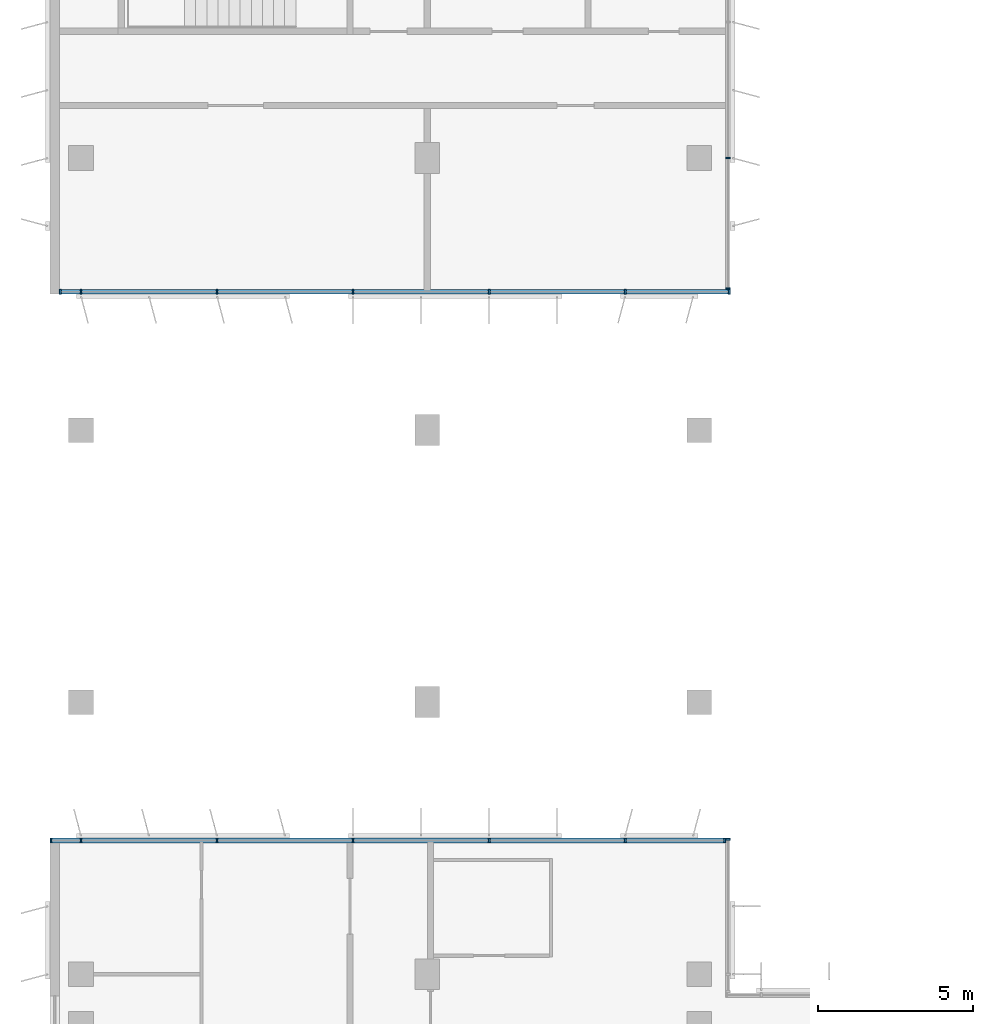
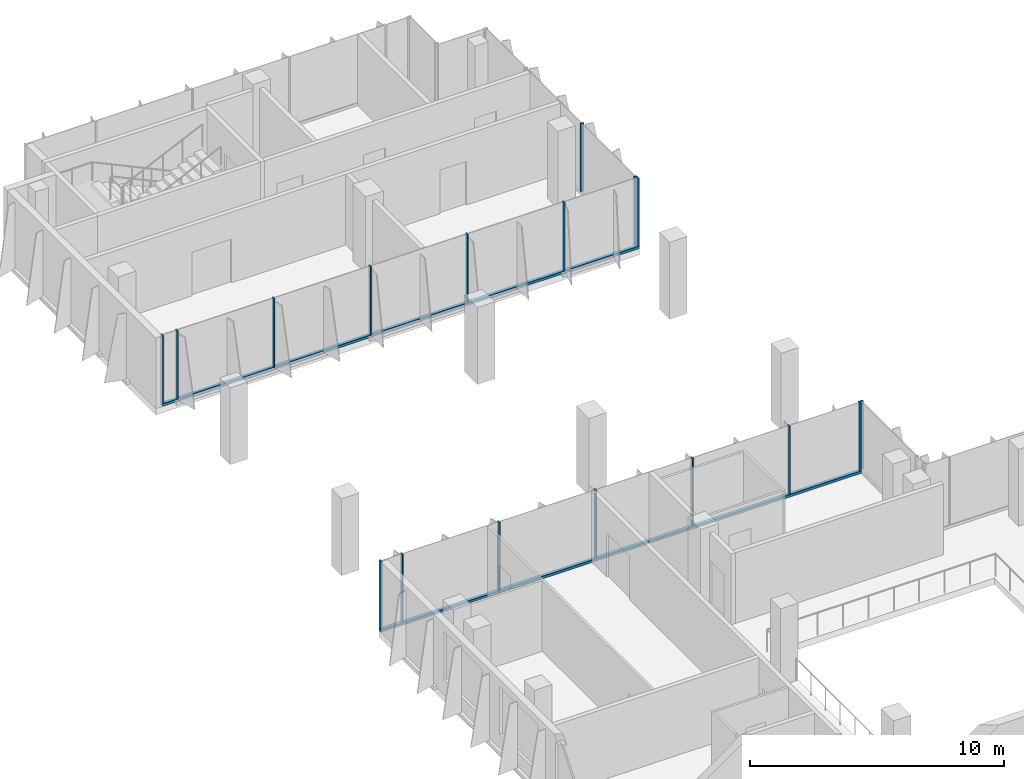
# One storey, part 4 of 14: 19 members, 4 elements without a shape of their own.
"""IFC4 building model written with IfcOpenShell, lengths in metres."""

from ifc_helpers import new_model, si_unit, direction, frame, origin, origin_2d, place, context, subcontext, project, spatial, rectangle, extrude, source, transform, mapped, material, material_profile, profile_set, type_object, element, aggregate, save


model = new_model("IFC4")

# Units and contexts
model_context = context("Model", 3, precision=1e-05, world=origin(), true_north=direction((0.0, 1.0)))
body_context = subcontext(model_context, "Body", "Model", "MODEL_VIEW")
ifc_project = project(units=[si_unit("LENGTHUNIT", "METRE"), si_unit("AREAUNIT", "SQUARE_METRE"), si_unit("VOLUMEUNIT", "CUBIC_METRE"), si_unit("PLANEANGLEUNIT", "RADIAN"), si_unit("MASSUNIT", "GRAM", prefix="KILO")], contexts=[model_context])

# Site, building, storey
site_placement = place(None, origin())
site = spatial("IfcSite", under=ifc_project, at=site_placement, CompositionType="ELEMENT")
building_placement = place(site_placement, origin())
building = spatial("IfcBuilding", under=site, at=building_placement, Name="Kemantara Hotel Tower", CompositionType="ELEMENT")
storey_placement = place(building_placement, frame((0.0, 0.0, 248.699951171875)))
storey = spatial("IfcBuildingStorey", under=building, at=storey_placement, Name="L62", CompositionType="ELEMENT", Elevation=248.699951171875)

# Curtain wall, member
ifc_material_1 = material(Name="Low-E tinted double insulated glass 36 mm", Category="glass")
curtain_wall_type = type_object("IfcCurtainWallType", Name="TOWER CURTAIN WALL, FRONT FACES", PredefinedType="USERDEFINED", material=ifc_material_1)
curtain_wall_1_placement = place(storey_placement, origin())
curtain_wall_1 = element("IfcCurtainWall", 1, at=curtain_wall_1_placement, inside=storey, type_object=curtain_wall_type, Name="CW4 L62 T4P-R01-1", ObjectType="TOWER CURTAIN WALL, FRONT FACES", PredefinedType="USERDEFINED")
ifc_material_2 = material(Name="Aluminium 6063-T6 bronze anodised", Category="aluminium")
ifc_material_profile_1 = material_profile(ifc_material_2, rectangle(XDim=0.14990234375, YDim=0.1201171875, at=origin_2d()), Name="TOWER CURTAIN WALL, FRONT FACES TRANSOM")
ifc_profile_set_1 = profile_set([ifc_material_profile_1], Name="Aluminium 6063-T6 bronze anodised")
member_type_1 = type_object("IfcMemberType", Name="TOWER CURTAIN WALL, FRONT FACES TRANSOM", PredefinedType="USERDEFINED", material=ifc_profile_set_1)
member_1_placement = place(storey_placement, frame((21.85009765625, 31.72509765625, 0.06005859375), z_axis=(-1.0, 0.0, 0.0), x_axis=(0.0, -1.0, 0.0)))
member_1 = element("IfcMember", 2, at=member_1_placement, type_object=member_type_1, Name="CW4 sill transom T4P-R01-1", ObjectType="TRANSOM", PredefinedType="USERDEFINED", context=body_context, shape_type="SweptSolid", body=[
    extrude(rectangle(XDim=0.14990234375, YDim=0.1201171875, at=origin_2d()), origin(), (0.0, 0.0, 1.0), 21.85009765625),
])

curtain_wall_2_placement = place(storey_placement, origin())
curtain_wall_2 = element("IfcCurtainWall", 3, at=curtain_wall_2_placement, inside=storey, type_object=curtain_wall_type, Name="CW4 L62 T4P-R12-1", ObjectType="TOWER CURTAIN WALL, FRONT FACES", PredefinedType="USERDEFINED")
member_2_placement = place(storey_placement, frame((0.300048828125, 49.47509765625, 0.06005859375), z_axis=(1.0, 0.0, 0.0), x_axis=(0.0, 1.0, 0.0)))
member_2 = element("IfcMember", 4, at=member_2_placement, type_object=member_type_1, Name="CW4 sill transom T4P-R12-1", ObjectType="TRANSOM", PredefinedType="USERDEFINED", context=body_context, shape_type="SweptSolid", body=[
    extrude(rectangle(XDim=0.14990234375, YDim=0.1201171875, at=origin_2d()), origin(), (0.0, 0.0, 1.0), 21.699951171875),
])

curtain_wall_3_placement = place(storey_placement, origin())
curtain_wall_3 = element("IfcCurtainWall", 5, at=curtain_wall_3_placement, inside=storey, type_object=curtain_wall_type, Name="CW4 L62 T4P-R00-1", ObjectType="TOWER CURTAIN WALL, FRONT FACES", PredefinedType="USERDEFINED")
ifc_material_profile_2 = material_profile(ifc_material_2, rectangle(XDim=0.14990234375, YDim=0.06005859375, at=origin_2d()), Name="TOWER CURTAIN WALL, FRONT FACES MULLION")
ifc_profile_set_2 = profile_set([ifc_material_profile_2], Name="Aluminium 6063-T6 bronze anodised")
member_type_2 = type_object("IfcMemberType", Name="TOWER CURTAIN WALL, FRONT FACES MULLION", PredefinedType="MULLION", material=ifc_profile_set_2)
shared_shape = source(origin(), body_context, "Body", "SweptSolid", [
    extrude(rectangle(XDim=0.14990234375, YDim=0.06005859375, at=origin_2d()), origin(), (0.0, 0.0, 1.0), 3.280029296875),
])
member_3_placement = place(storey_placement, frame((21.925048828125, 31.77001953125, 0.1201171875), z_axis=(0.0, 0.0, 1.0), x_axis=(-1.0, 0.0, 0.0)))
member_3 = element("IfcMember", 6, at=member_3_placement, type_object=member_type_2, Name="CW4 mullion T4P-R00-1.3", PredefinedType="MULLION", context=body_context, shape_type="MappedRepresentation", body=[
    mapped(shared_shape, transform((0.0, 0.0, 0.0))),
])
aggregate(curtain_wall_3, [member_3])

# Member
member_4_placement = place(storey_placement, frame((21.820068359375, 31.72509765625, 0.1201171875), z_axis=(0.0, 0.0, 1.0), x_axis=(0.0, -1.0, 0.0)))
member_4 = element("IfcMember", 7, at=member_4_placement, type_object=member_type_2, Name="CW4 mullion T4P-R01-1.1", PredefinedType="MULLION", context=body_context, shape_type="MappedRepresentation", body=[
    mapped(shared_shape, transform((0.0, 0.0, 0.0))),
])

member_5_placement = place(storey_placement, frame((18.60009765625, 31.72509765625, 0.1201171875), z_axis=(0.0, 0.0, 1.0), x_axis=(0.0, -1.0, 0.0)))
member_5 = element("IfcMember", 8, at=member_5_placement, type_object=member_type_2, Name="CW4 mullion T4P-R01-1.2", PredefinedType="MULLION", context=body_context, shape_type="MappedRepresentation", body=[
    mapped(shared_shape, transform((0.0, 0.0, 0.0))),
])

member_6_placement = place(storey_placement, frame((14.199951171875, 31.72509765625, 0.1201171875), z_axis=(0.0, 0.0, 1.0), x_axis=(0.0, -1.0, 0.0)))
member_6 = element("IfcMember", 9, at=member_6_placement, type_object=member_type_2, Name="CW4 mullion T4P-R01-1.3", PredefinedType="MULLION", context=body_context, shape_type="MappedRepresentation", body=[
    mapped(shared_shape, transform((0.0, 0.0, 0.0))),
])

member_7_placement = place(storey_placement, frame((9.800048828125, 31.72509765625, 0.1201171875), z_axis=(0.0, 0.0, 1.0), x_axis=(0.0, -1.0, 0.0)))
member_7 = element("IfcMember", 10, at=member_7_placement, type_object=member_type_2, Name="CW4 mullion T4P-R01-1.4", PredefinedType="MULLION", context=body_context, shape_type="MappedRepresentation", body=[
    mapped(shared_shape, transform((0.0, 0.0, 0.0))),
])

member_8_placement = place(storey_placement, frame((5.39990234375, 31.72509765625, 0.1201171875), z_axis=(0.0, 0.0, 1.0), x_axis=(0.0, -1.0, 0.0)))
member_8 = element("IfcMember", 11, at=member_8_placement, type_object=member_type_2, Name="CW4 mullion T4P-R01-1.5", PredefinedType="MULLION", context=body_context, shape_type="MappedRepresentation", body=[
    mapped(shared_shape, transform((0.0, 0.0, 0.0))),
])

member_9_placement = place(storey_placement, frame((1.0, 31.72509765625, 0.1201171875), z_axis=(0.0, 0.0, 1.0), x_axis=(0.0, -1.0, 0.0)))
member_9 = element("IfcMember", 12, at=member_9_placement, type_object=member_type_2, Name="CW4 mullion T4P-R01-1.6", PredefinedType="MULLION", context=body_context, shape_type="MappedRepresentation", body=[
    mapped(shared_shape, transform((0.0, 0.0, 0.0))),
])

member_10_placement = place(storey_placement, frame((0.030029296875, 31.72509765625, 0.1201171875), z_axis=(0.0, 0.0, 1.0), x_axis=(0.0, -1.0, 0.0)))
member_10 = element("IfcMember", 13, at=member_10_placement, type_object=member_type_2, Name="CW4 mullion T4P-R01-1.7", PredefinedType="MULLION", context=body_context, shape_type="MappedRepresentation", body=[
    mapped(shared_shape, transform((0.0, 0.0, 0.0))),
])

aggregate(curtain_wall_1, [member_1, member_4, member_5, member_6, member_7, member_8, member_9, member_10])

member_11_placement = place(storey_placement, frame((0.330078125, 49.47509765625, 0.1201171875), z_axis=(0.0, 0.0, 1.0), x_axis=(0.0, 1.0, 0.0)))
member_11 = element("IfcMember", 14, at=member_11_placement, type_object=member_type_2, Name="CW4 mullion T4P-R12-1.1", PredefinedType="MULLION", context=body_context, shape_type="MappedRepresentation", body=[
    mapped(shared_shape, transform((0.0, 0.0, 0.0))),
])

member_12_placement = place(storey_placement, frame((1.0, 49.47509765625, 0.1201171875), z_axis=(0.0, 0.0, 1.0), x_axis=(0.0, 1.0, 0.0)))
member_12 = element("IfcMember", 15, at=member_12_placement, type_object=member_type_2, Name="CW4 mullion T4P-R12-1.2", PredefinedType="MULLION", context=body_context, shape_type="MappedRepresentation", body=[
    mapped(shared_shape, transform((0.0, 0.0, 0.0))),
])

member_13_placement = place(storey_placement, frame((5.39990234375, 49.47509765625, 0.1201171875), z_axis=(0.0, 0.0, 1.0), x_axis=(0.0, 1.0, 0.0)))
member_13 = element("IfcMember", 16, at=member_13_placement, type_object=member_type_2, Name="CW4 mullion T4P-R12-1.3", PredefinedType="MULLION", context=body_context, shape_type="MappedRepresentation", body=[
    mapped(shared_shape, transform((0.0, 0.0, 0.0))),
])

member_14_placement = place(storey_placement, frame((9.800048828125, 49.47509765625, 0.1201171875), z_axis=(0.0, 0.0, 1.0), x_axis=(0.0, 1.0, 0.0)))
member_14 = element("IfcMember", 17, at=member_14_placement, type_object=member_type_2, Name="CW4 mullion T4P-R12-1.4", PredefinedType="MULLION", context=body_context, shape_type="MappedRepresentation", body=[
    mapped(shared_shape, transform((0.0, 0.0, 0.0))),
])

member_15_placement = place(storey_placement, frame((14.199951171875, 49.47509765625, 0.1201171875), z_axis=(0.0, 0.0, 1.0), x_axis=(0.0, 1.0, 0.0)))
member_15 = element("IfcMember", 18, at=member_15_placement, type_object=member_type_2, Name="CW4 mullion T4P-R12-1.5", PredefinedType="MULLION", context=body_context, shape_type="MappedRepresentation", body=[
    mapped(shared_shape, transform((0.0, 0.0, 0.0))),
])

member_16_placement = place(storey_placement, frame((18.60009765625, 49.47509765625, 0.1201171875), z_axis=(0.0, 0.0, 1.0), x_axis=(0.0, 1.0, 0.0)))
member_16 = element("IfcMember", 19, at=member_16_placement, type_object=member_type_2, Name="CW4 mullion T4P-R12-1.6", PredefinedType="MULLION", context=body_context, shape_type="MappedRepresentation", body=[
    mapped(shared_shape, transform((0.0, 0.0, 0.0))),
])

member_17_placement = place(storey_placement, frame((21.969970703125, 49.47509765625, 0.1201171875), z_axis=(0.0, 0.0, 1.0), x_axis=(0.0, 1.0, 0.0)))
member_17 = element("IfcMember", 20, at=member_17_placement, type_object=member_type_2, Name="CW4 mullion T4P-R12-1.7", PredefinedType="MULLION", context=body_context, shape_type="MappedRepresentation", body=[
    mapped(shared_shape, transform((0.0, 0.0, 0.0))),
])

aggregate(curtain_wall_2, [member_2, member_11, member_12, member_13, member_14, member_15, member_16, member_17])

# Curtain wall, members
curtain_wall_4_placement = place(storey_placement, origin())
curtain_wall_4 = element("IfcCurtainWall", 21, at=curtain_wall_4_placement, inside=storey, type_object=curtain_wall_type, Name="CW4 L62 T4P-R13-1", ObjectType="TOWER CURTAIN WALL, FRONT FACES", PredefinedType="USERDEFINED")
member_18_placement = place(storey_placement, frame((21.925048828125, 49.580078125, 0.1201171875), z_axis=(0.0, 0.0, 1.0), x_axis=(-1.0, 0.0, 0.0)))
member_18 = element("IfcMember", 22, at=member_18_placement, type_object=member_type_2, Name="CW4 mullion T4P-R13-1.1", PredefinedType="MULLION", context=body_context, shape_type="MappedRepresentation", body=[
    mapped(shared_shape, transform((0.0, 0.0, 0.0))),
])
member_19_placement = place(storey_placement, frame((21.925048828125, 53.800048828125, 0.1201171875), z_axis=(0.0, 0.0, 1.0), x_axis=(-1.0, 0.0, 0.0)))
member_19 = element("IfcMember", 23, at=member_19_placement, type_object=member_type_2, Name="CW4 mullion T4P-R13-1.2", PredefinedType="MULLION", context=body_context, shape_type="MappedRepresentation", body=[
    mapped(shared_shape, transform((0.0, 0.0, 0.0))),
])
aggregate(curtain_wall_4, [member_18, member_19])

save(model, "model.ifc")
